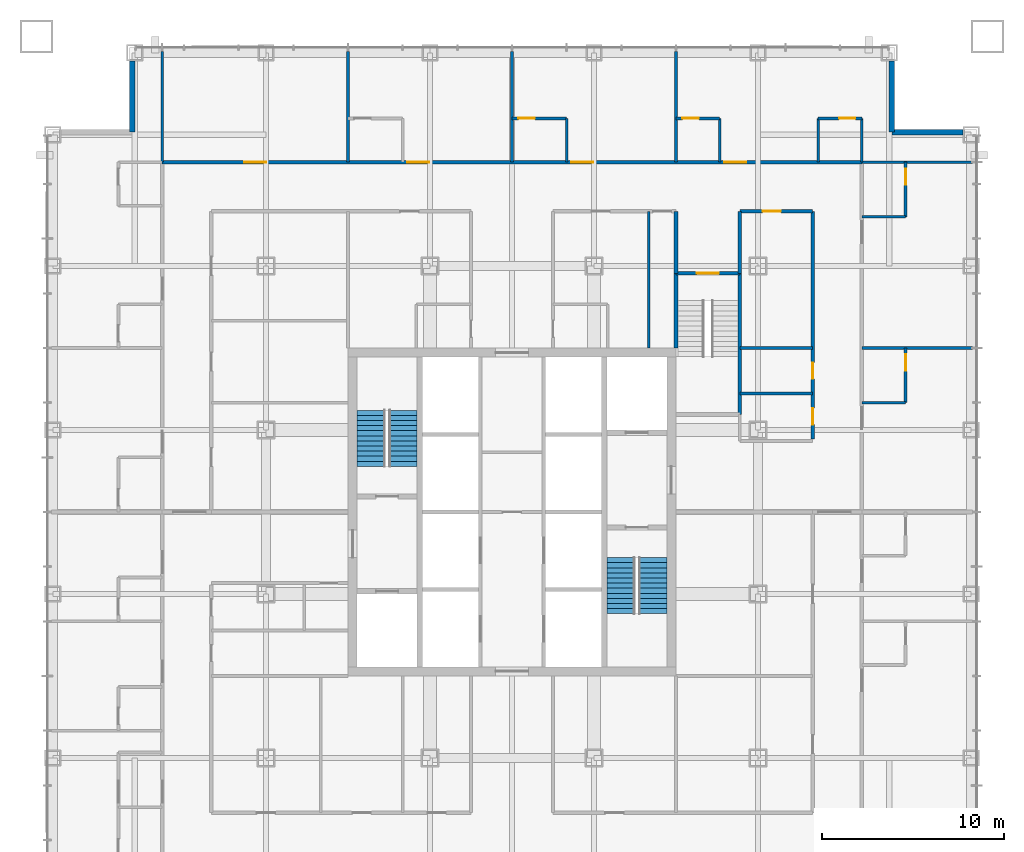
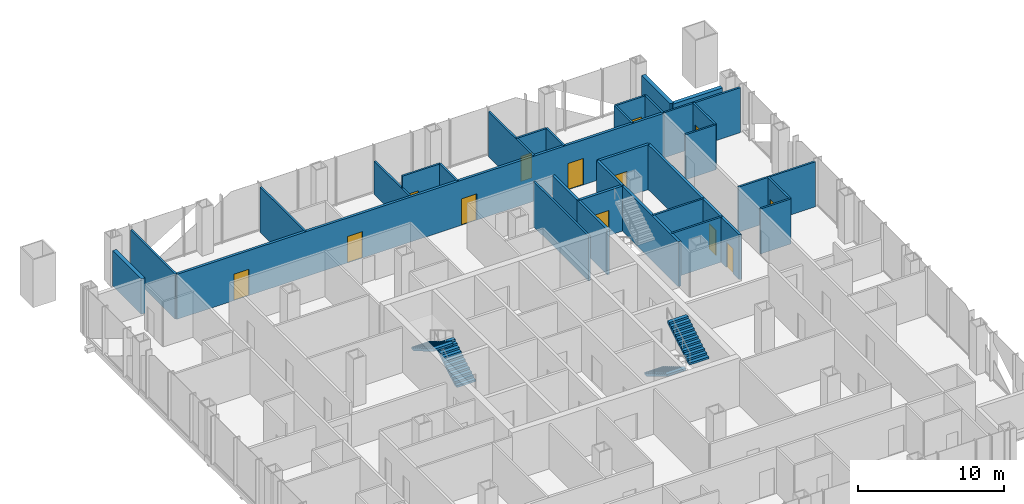
# One storey, part 11 of 13: 31 walls, 13 doors, 4 stair flights, 13 openings, 2 elements without a shape of their own.
"""IFC4 building model written with IfcOpenShell, lengths in metres."""

from ifc_helpers import new_model, si_unit, direction, frame, frame_2d, origin, place, context, subcontext, project, spatial, polyline, rectangle, outline, extrude, material, layer, layer_set, type_object, element, fill, aggregate, save


model = new_model("IFC4")

# Units and contexts
model_context = context("Model", 3, precision=1e-05, world=origin(), true_north=direction((0.0, 1.0)))
body_context = subcontext(model_context, "Body", "Model", "MODEL_VIEW")
ifc_project = project(units=[si_unit("LENGTHUNIT", "METRE"), si_unit("AREAUNIT", "SQUARE_METRE"), si_unit("VOLUMEUNIT", "CUBIC_METRE"), si_unit("PLANEANGLEUNIT", "RADIAN"), si_unit("MASSUNIT", "GRAM", prefix="KILO")], contexts=[model_context])

# Site, building, storey
site_placement = place(None, origin())
site = spatial("IfcSite", under=ifc_project, at=site_placement, CompositionType="ELEMENT")
building_placement = place(site_placement, origin())
building = spatial("IfcBuilding", under=site, at=building_placement, Name="Malebo Sky Hospital", CompositionType="ELEMENT")
storey_placement = place(building_placement, frame((0.0, 0.0, 67.0)))
storey = spatial("IfcBuildingStorey", under=building, at=storey_placement, Name="L15", CompositionType="ELEMENT", Elevation=67.0)

# Wall, openings, doors
ifc_material_1 = material(Name="Gypsum board on steel studs", Category="steel")
ifc_layer_1 = layer(ifc_material_1, 0.199951171875)
ifc_layer_set_1 = layer_set([ifc_layer_1], Name="CORRIDOR WALL 200")
wall_type_1 = type_object("IfcWallType", Name="CORRIDOR WALL 200", PredefinedType="PARTITIONING", material=ifc_layer_set_1)
wall_1_placement = place(storey_placement, frame((40.800048828125, 81.199951171875, 0.0), z_axis=(0.0, 0.0, 1.0), x_axis=(1.0, 0.0, 0.0)))
wall_1 = element("IfcWall", 1, at=wall_1_placement, inside=storey, type_object=wall_type_1, Name="Corridor Wall 200 NCO", PredefinedType="PARTITIONING", context=body_context, shape_type="SweptSolid", body=[
    extrude(rectangle(XDim=38.39990234375, YDim=0.199951171875, at=frame_2d((19.199951171875, 0.0))), origin(), (0.0, 0.0, 1.0), 3.75),
])
opening_1_placement = place(wall_1_placement, frame((4.5, 0.0, 0.0)))
opening_1 = element("IfcOpeningElement", 2, at=opening_1_placement, cuts=wall_1, Name="Opening D01", PredefinedType="OPENING", context=body_context, shape_type="SweptSolid", body=[
    extrude(rectangle(XDim=1.199951171875, YDim=2.199951171875, at=frame_2d((0.60009765625, 1.10009765625))), frame((0.0, 0.10986328125, 0.0), z_axis=(0.0, -1.0, 0.0), x_axis=(1.0, 0.0, 0.0)), (0.0, 0.0, 1.0), 0.219970703125),
])
opening_2_placement = place(wall_1_placement, frame((13.449951171875, 0.0, 0.0)))
opening_2 = element("IfcOpeningElement", 3, at=opening_2_placement, cuts=wall_1, Name="Opening D01", PredefinedType="OPENING", context=body_context, shape_type="SweptSolid", body=[
    extrude(rectangle(XDim=1.199951171875, YDim=2.199951171875, at=frame_2d((0.60009765625, 1.10009765625))), frame((0.0, 0.10986328125, 0.0), z_axis=(0.0, -1.0, 0.0), x_axis=(1.0, 0.0, 0.0)), (0.0, 0.0, 1.0), 0.219970703125),
])
opening_3_placement = place(wall_1_placement, frame((22.449951171875, 0.0, 0.0)))
opening_3 = element("IfcOpeningElement", 4, at=opening_3_placement, cuts=wall_1, Name="Opening D01", PredefinedType="OPENING", context=body_context, shape_type="SweptSolid", body=[
    extrude(rectangle(XDim=1.199951171875, YDim=2.199951171875, at=frame_2d((0.60009765625, 1.10009765625))), frame((0.0, 0.10986328125, 0.0), z_axis=(0.0, -1.0, 0.0), x_axis=(1.0, 0.0, 0.0)), (0.0, 0.0, 1.0), 0.219970703125),
])
opening_4_placement = place(wall_1_placement, frame((30.85009765625, 0.0, 0.0)))
opening_4 = element("IfcOpeningElement", 5, at=opening_4_placement, cuts=wall_1, Name="Opening D01", PredefinedType="OPENING", context=body_context, shape_type="SweptSolid", body=[
    extrude(rectangle(XDim=1.199951171875, YDim=2.199951171875, at=frame_2d((0.60009765625, 1.10009765625))), frame((0.0, 0.10986328125, 0.0), z_axis=(0.0, -1.0, 0.0), x_axis=(1.0, 0.0, 0.0)), (0.0, 0.0, 1.0), 0.219970703125),
])
ifc_material_2 = material(Name="Hardwood-faced door leaf in steel frame", Category="steel")
door_type_1 = type_object("IfcDoorType", Name="BED DOOR 1200", OperationType="SINGLE_SWING_LEFT", PredefinedType="DOOR", material=ifc_material_2)
door_1_placement = place(opening_1_placement, origin())
door_1 = element("IfcDoor", 6, at=door_1_placement, inside=storey, type_object=door_type_1, Name="Therapy room door", OperationType="SINGLE_SWING_LEFT", OverallHeight=2.199951171875, OverallWidth=1.199951171875, PredefinedType="DOOR", context=body_context, shape_type="SweptSolid", body=[
    extrude(rectangle(XDim=1.199951171875, YDim=2.199951171875, at=frame_2d((0.60009765625, 1.10009765625))), frame((0.0, 0.02490234375, 0.0), z_axis=(0.0, -1.0, 0.0), x_axis=(1.0, 0.0, 0.0)), (0.0, 0.0, 1.0), 0.050048828125),
])
fill(opening_1, door_1)
door_2_placement = place(opening_2_placement, origin())
door_2 = element("IfcDoor", 7, at=door_2_placement, inside=storey, type_object=door_type_1, Name="Two-bed room door", OperationType="SINGLE_SWING_LEFT", OverallHeight=2.199951171875, OverallWidth=1.199951171875, PredefinedType="DOOR", context=body_context, shape_type="SweptSolid", body=[
    extrude(rectangle(XDim=1.199951171875, YDim=2.199951171875, at=frame_2d((0.60009765625, 1.10009765625))), frame((0.0, 0.02490234375, 0.0), z_axis=(0.0, -1.0, 0.0), x_axis=(1.0, 0.0, 0.0)), (0.0, 0.0, 1.0), 0.050048828125),
])
fill(opening_2, door_2)
door_3_placement = place(opening_3_placement, origin())
door_3 = element("IfcDoor", 8, at=door_3_placement, inside=storey, type_object=door_type_1, Name="Two-bed room door", OperationType="SINGLE_SWING_LEFT", OverallHeight=2.199951171875, OverallWidth=1.199951171875, PredefinedType="DOOR", context=body_context, shape_type="SweptSolid", body=[
    extrude(rectangle(XDim=1.199951171875, YDim=2.199951171875, at=frame_2d((0.60009765625, 1.10009765625))), frame((0.0, 0.02490234375, 0.0), z_axis=(0.0, -1.0, 0.0), x_axis=(1.0, 0.0, 0.0)), (0.0, 0.0, 1.0), 0.050048828125),
])
fill(opening_3, door_3)
door_4_placement = place(opening_4_placement, origin())
door_4 = element("IfcDoor", 9, at=door_4_placement, inside=storey, type_object=door_type_1, Name="Four-bed bay door", OperationType="SINGLE_SWING_LEFT", OverallHeight=2.199951171875, OverallWidth=1.199951171875, PredefinedType="DOOR", context=body_context, shape_type="SweptSolid", body=[
    extrude(rectangle(XDim=1.199951171875, YDim=2.199951171875, at=frame_2d((0.60009765625, 1.10009765625))), frame((0.0, 0.02490234375, 0.0), z_axis=(0.0, -1.0, 0.0), x_axis=(1.0, 0.0, 0.0)), (0.0, 0.0, 1.0), 0.050048828125),
])
fill(opening_4, door_4)

# Wall, opening, door
wall_2_placement = place(storey_placement, frame((72.5, 78.5, 0.0), z_axis=(0.0, 0.0, 1.0), x_axis=(1.0, 0.0, 0.0)))
wall_2 = element("IfcWall", 10, at=wall_2_placement, inside=storey, type_object=wall_type_1, Name="Corridor Wall 200 NCI2/2", PredefinedType="PARTITIONING", context=body_context, shape_type="SweptSolid", body=[
    extrude(rectangle(XDim=4.0, YDim=0.199951171875, at=frame_2d((2.0, 0.0))), origin(), (0.0, 0.0, 1.0), 3.75),
])
opening_5_placement = place(wall_2_placement, frame((1.25, 0.0, 0.0)))
opening_5 = element("IfcOpeningElement", 11, at=opening_5_placement, cuts=wall_2, Name="Opening D03", PredefinedType="OPENING", context=body_context, shape_type="SweptSolid", body=[
    extrude(rectangle(XDim=1.0, YDim=2.10009765625, at=frame_2d((0.5, 1.050048828125))), frame((0.0, 0.10986328125, 0.0), z_axis=(0.0, -1.0, 0.0), x_axis=(1.0, 0.0, 0.0)), (0.0, 0.0, 1.0), 0.219970703125),
])
door_type_2 = type_object("IfcDoorType", Name="ROOM DOOR 1000", OperationType="SINGLE_SWING_LEFT", PredefinedType="DOOR", material=ifc_material_2)
door_5_placement = place(opening_5_placement, origin())
door_5 = element("IfcDoor", 12, at=door_5_placement, inside=storey, type_object=door_type_2, Name="Interview room door", OperationType="SINGLE_SWING_LEFT", OverallHeight=2.10009765625, OverallWidth=1.0, PredefinedType="DOOR", context=body_context, shape_type="SweptSolid", body=[
    extrude(rectangle(XDim=1.0, YDim=2.10009765625, at=frame_2d((0.5, 1.050048828125))), frame((0.0, 0.02490234375, 0.0), z_axis=(0.0, -1.0, 0.0), x_axis=(1.0, 0.0, 0.0)), (0.0, 0.0, 1.0), 0.050048828125),
])
fill(opening_5, door_5)

# Wall, openings, doors
wall_3_placement = place(storey_placement, frame((76.5, 78.5, 0.0), z_axis=(0.0, 0.0, 1.0), x_axis=(0.0, -1.0, 0.0)))
wall_3 = element("IfcWall", 13, at=wall_3_placement, inside=storey, type_object=wall_type_1, Name="Corridor Wall 200 ECI1", PredefinedType="PARTITIONING", context=body_context, shape_type="SweptSolid", body=[
    extrude(rectangle(XDim=12.5, YDim=0.199951171875, at=frame_2d((6.25, 0.0))), origin(), (0.0, 0.0, 1.0), 3.75),
])
opening_6_placement = place(wall_3_placement, frame((8.300048828125, 0.0, 0.0)))
opening_6 = element("IfcOpeningElement", 14, at=opening_6_placement, cuts=wall_3, Name="Opening D04", PredefinedType="OPENING", context=body_context, shape_type="SweptSolid", body=[
    extrude(rectangle(XDim=0.89990234375, YDim=2.10009765625, at=frame_2d((0.449951171875, 1.050048828125))), frame((0.0, 0.10986328125, 0.0), z_axis=(0.0, -1.0, 0.0), x_axis=(1.0, 0.0, 0.0)), (0.0, 0.0, 1.0), 0.219970703125),
])
opening_7_placement = place(wall_3_placement, frame((10.800048828125, 0.0, 0.0)))
opening_7 = element("IfcOpeningElement", 15, at=opening_7_placement, cuts=wall_3, Name="Opening D04", PredefinedType="OPENING", context=body_context, shape_type="SweptSolid", body=[
    extrude(rectangle(XDim=0.89990234375, YDim=2.10009765625, at=frame_2d((0.449951171875, 1.050048828125))), frame((0.0, 0.10986328125, 0.0), z_axis=(0.0, -1.0, 0.0), x_axis=(1.0, 0.0, 0.0)), (0.0, 0.0, 1.0), 0.219970703125),
])
door_type_3 = type_object("IfcDoorType", Name="ROOM DOOR 900", OperationType="SINGLE_SWING_LEFT", PredefinedType="DOOR", material=ifc_material_2)
door_6_placement = place(opening_6_placement, origin())
door_6 = element("IfcDoor", 16, at=door_6_placement, inside=storey, type_object=door_type_3, Name="Equipment store door", OperationType="SINGLE_SWING_LEFT", OverallHeight=2.10009765625, OverallWidth=0.89990234375, PredefinedType="DOOR", context=body_context, shape_type="SweptSolid", body=[
    extrude(rectangle(XDim=0.89990234375, YDim=2.10009765625, at=frame_2d((0.449951171875, 1.050048828125))), frame((0.0, 0.02490234375, 0.0), z_axis=(0.0, -1.0, 0.0), x_axis=(1.0, 0.0, 0.0)), (0.0, 0.0, 1.0), 0.050048828125),
])
fill(opening_6, door_6)
door_7_placement = place(opening_7_placement, origin())
door_7 = element("IfcDoor", 17, at=door_7_placement, inside=storey, type_object=door_type_3, Name="Medication room door", OperationType="SINGLE_SWING_LEFT", OverallHeight=2.10009765625, OverallWidth=0.89990234375, PredefinedType="DOOR", context=body_context, shape_type="SweptSolid", body=[
    extrude(rectangle(XDim=0.89990234375, YDim=2.10009765625, at=frame_2d((0.449951171875, 1.050048828125))), frame((0.0, 0.02490234375, 0.0), z_axis=(0.0, -1.0, 0.0), x_axis=(1.0, 0.0, 0.0)), (0.0, 0.0, 1.0), 0.050048828125),
])
fill(opening_7, door_7)

# Walls
for number, where, z_axis, x_axis, name in (
    (18, (69.0, 75.10009765625, 0.0), (0.0, 0.0, 1.0), (0.0, 1.0, 0.0), "Corridor Wall 200 ST3AW"),
    (19, (72.5, 75.10009765625, 0.0), (0.0, 0.0, 1.0), (0.0, 1.0, 0.0), "Corridor Wall 200 ST3AE"),
):
    element("IfcWall", number, at=place(storey_placement, frame(where, z_axis=z_axis, x_axis=x_axis)), inside=storey, type_object=wall_type_1, Name=name, PredefinedType="PARTITIONING", context=body_context, shape_type="SweptSolid", body=[
        extrude(rectangle(XDim=3.39990234375, YDim=0.199951171875, at=frame_2d((1.699951171875, 0.0))), origin(), (0.0, 0.0, 1.0), 3.75),
    ])
ifc_material_3 = material(Name="Anodised aluminium rainscreen on steel framing", Category="steel")
ifc_layer_2 = layer(ifc_material_3, 0.300048828125)
ifc_layer_set_2 = layer_set([ifc_layer_2], Name="NOTCH RAINSCREEN WALL 300")
wall_type_2 = type_object("IfcWallType", Name="NOTCH RAINSCREEN WALL 300", PredefinedType="ELEMENTEDWALL", material=ifc_layer_set_2)
for number, where, z_axis, x_axis, name in (
    (20, (80.85009765625, 86.75, 0.0), (0.0, 0.0, 1.0), (0.0, -1.0, 0.0), "Notch rainscreen wall N1 L15"),
    (21, (80.85009765625, 82.85009765625, 0.0), (0.0, 0.0, 1.0), (1.0, 0.0, 0.0), "Notch rainscreen wall N2 L15"),
    (22, (39.14990234375, 82.85009765625, 0.0), (0.0, 0.0, 1.0), (0.0, 1.0, 0.0), "Notch rainscreen wall W2 L15"),
):
    element("IfcWall", number, at=place(storey_placement, frame(where, z_axis=z_axis, x_axis=x_axis)), inside=storey, type_object=wall_type_2, Name=name, PredefinedType="ELEMENTEDWALL", context=body_context, shape_type="SweptSolid", body=[
        extrude(rectangle(XDim=3.89990234375, YDim=0.300048828125, at=frame_2d((1.949951171875, 0.0))), origin(), (0.0, 0.0, 1.0), 2.949951171875),
    ])
ifc_layer_3 = layer(ifc_material_1, 0.14990234375)
ifc_layer_set_3 = layer_set([ifc_layer_3], Name="PARTITION 150")
wall_type_3 = type_object("IfcWallType", Name="PARTITION 150", PredefinedType="PARTITIONING", material=ifc_layer_set_3)
wall_4_placement = place(storey_placement, frame((51.0, 81.199951171875, 0.0), z_axis=(0.0, 0.0, 1.0), x_axis=(0.0, 1.0, 0.0)))
element("IfcWall", 23, at=wall_4_placement, inside=storey, type_object=wall_type_3, Name="Partition 150 NP-9.0", PredefinedType="PARTITIONING", context=body_context, shape_type="SweptSolid", body=[
    extrude(rectangle(XDim=6.074951171875, YDim=0.14990234375, at=frame_2d((3.03759765625, 0.0))), origin(), (0.0, 0.0, 1.0), 3.75),
])
wall_5_placement = place(storey_placement, frame((60.0, 81.199951171875, 0.0), z_axis=(0.0, 0.0, 1.0), x_axis=(0.0, 1.0, 0.0)))
element("IfcWall", 24, at=wall_5_placement, inside=storey, type_object=wall_type_3, Name="Partition 150 NP+0.0", PredefinedType="PARTITIONING", context=body_context, shape_type="SweptSolid", body=[
    extrude(rectangle(XDim=6.074951171875, YDim=0.14990234375, at=frame_2d((3.03759765625, 0.0))), origin(), (0.0, 0.0, 1.0), 2.75),
])
for number, where, z_axis, x_axis, name in (
    (25, (69.0, 81.199951171875, 0.0), (0.0, 0.0, 1.0), (0.0, 1.0, 0.0), "Partition 150 NP+9.0"),
    (26, (40.800048828125, 81.199951171875, 0.0), (0.0, 0.0, 1.0), (0.0, 1.0, 0.0), "Partition 150 NP0"),
):
    element("IfcWall", number, at=place(storey_placement, frame(where, z_axis=z_axis, x_axis=x_axis)), inside=storey, type_object=wall_type_3, Name=name, PredefinedType="PARTITIONING", context=body_context, shape_type="SweptSolid", body=[
        extrude(rectangle(XDim=6.074951171875, YDim=0.14990234375, at=frame_2d((3.03759765625, 0.0))), origin(), (0.0, 0.0, 1.0), 3.75),
    ])

# Wall, opening, door
wall_6_placement = place(storey_placement, frame((60.0, 83.60009765625, 0.0), z_axis=(0.0, 0.0, 1.0), x_axis=(1.0, 0.0, 0.0)))
wall_6 = element("IfcWall", 27, at=wall_6_placement, inside=storey, type_object=wall_type_3, Name="Partition 150 NE2F", PredefinedType="PARTITIONING", context=body_context, shape_type="SweptSolid", body=[
    extrude(rectangle(XDim=3.0, YDim=0.14990234375, at=frame_2d((1.5, 0.0))), origin(), (0.0, 0.0, 1.0), 3.75),
])
opening_8_placement = place(wall_6_placement, frame((0.35009765625, 0.0, 0.0)))
opening_8 = element("IfcOpeningElement", 28, at=opening_8_placement, cuts=wall_6, Name="Opening D02", PredefinedType="OPENING", context=body_context, shape_type="SweptSolid", body=[
    extrude(rectangle(XDim=0.89990234375, YDim=2.10009765625, at=frame_2d((0.449951171875, 1.050048828125))), frame((0.0, 0.0849609375, 0.0), z_axis=(0.0, -1.0, 0.0), x_axis=(1.0, 0.0, 0.0)), (0.0, 0.0, 1.0), 0.169921875),
])
door_type_4 = type_object("IfcDoorType", Name="EN-SUITE DOOR 900", OperationType="SINGLE_SWING_LEFT", PredefinedType="DOOR", material=ifc_material_2)
door_8_placement = place(opening_8_placement, origin())
door_8 = element("IfcDoor", 29, at=door_8_placement, inside=storey, type_object=door_type_4, Name="En-suite door", OperationType="SINGLE_SWING_LEFT", OverallHeight=2.10009765625, OverallWidth=0.89990234375, PredefinedType="DOOR", context=body_context, shape_type="SweptSolid", body=[
    extrude(rectangle(XDim=0.89990234375, YDim=2.10009765625, at=frame_2d((0.449951171875, 1.050048828125))), frame((0.0, 0.02490234375, 0.0), z_axis=(0.0, -1.0, 0.0), x_axis=(1.0, 0.0, 0.0)), (0.0, 0.0, 1.0), 0.050048828125),
])
fill(opening_8, door_8)

# Wall
wall_7_placement = place(storey_placement, frame((63.0, 81.199951171875, 0.0), z_axis=(0.0, 0.0, 1.0), x_axis=(0.0, 1.0, 0.0)))
element("IfcWall", 30, at=wall_7_placement, inside=storey, type_object=wall_type_3, Name="Partition 150 NE2S", PredefinedType="PARTITIONING", context=body_context, shape_type="SweptSolid", body=[
    extrude(rectangle(XDim=2.400146484375, YDim=0.14990234375, at=frame_2d((1.2001953125, 0.0))), origin(), (0.0, 0.0, 1.0), 3.75),
])

# Wall, opening, door
wall_8_placement = place(storey_placement, frame((69.0, 83.60009765625, 0.0), z_axis=(0.0, 0.0, 1.0), x_axis=(1.0, 0.0, 0.0)))
wall_8 = element("IfcWall", 31, at=wall_8_placement, inside=storey, type_object=wall_type_3, Name="Partition 150 NE3F", PredefinedType="PARTITIONING", context=body_context, shape_type="SweptSolid", body=[
    extrude(rectangle(XDim=2.39990234375, YDim=0.14990234375, at=frame_2d((1.199951171875, 0.0))), origin(), (0.0, 0.0, 1.0), 3.75),
])
opening_9_placement = place(wall_8_placement, frame((0.35009765625, 0.0, 0.0)))
opening_9 = element("IfcOpeningElement", 32, at=opening_9_placement, cuts=wall_8, Name="Opening D02", PredefinedType="OPENING", context=body_context, shape_type="SweptSolid", body=[
    extrude(rectangle(XDim=0.89990234375, YDim=2.10009765625, at=frame_2d((0.449951171875, 1.050048828125))), frame((0.0, 0.0849609375, 0.0), z_axis=(0.0, -1.0, 0.0), x_axis=(1.0, 0.0, 0.0)), (0.0, 0.0, 1.0), 0.169921875),
])
door_9_placement = place(opening_9_placement, origin())
door_9 = element("IfcDoor", 33, at=door_9_placement, inside=storey, type_object=door_type_4, Name="En-suite door", OperationType="SINGLE_SWING_LEFT", OverallHeight=2.10009765625, OverallWidth=0.89990234375, PredefinedType="DOOR", context=body_context, shape_type="SweptSolid", body=[
    extrude(rectangle(XDim=0.89990234375, YDim=2.10009765625, at=frame_2d((0.449951171875, 1.050048828125))), frame((0.0, 0.02490234375, 0.0), z_axis=(0.0, -1.0, 0.0), x_axis=(1.0, 0.0, 0.0)), (0.0, 0.0, 1.0), 0.050048828125),
])
fill(opening_9, door_9)

# Wall
wall_9_placement = place(storey_placement, frame((71.39990234375, 81.199951171875, 0.0), z_axis=(0.0, 0.0, 1.0), x_axis=(0.0, 1.0, 0.0)))
element("IfcWall", 34, at=wall_9_placement, inside=storey, type_object=wall_type_3, Name="Partition 150 NE3S", PredefinedType="PARTITIONING", context=body_context, shape_type="SweptSolid", body=[
    extrude(rectangle(XDim=2.400146484375, YDim=0.14990234375, at=frame_2d((1.2001953125, 0.0))), origin(), (0.0, 0.0, 1.0), 3.75),
])

# Wall, opening, door
wall_10_placement = place(storey_placement, frame((76.800048828125, 83.60009765625, 0.0), z_axis=(0.0, 0.0, 1.0), x_axis=(1.0, 0.0, 0.0)))
wall_10 = element("IfcWall", 35, at=wall_10_placement, inside=storey, type_object=wall_type_3, Name="Partition 150 NG3F", PredefinedType="PARTITIONING", context=body_context, shape_type="SweptSolid", body=[
    extrude(rectangle(XDim=2.39990234375, YDim=0.14990234375, at=frame_2d((1.199951171875, 0.0))), origin(), (0.0, 0.0, 1.0), 3.75),
])
opening_10_placement = place(wall_10_placement, frame((1.14990234375, 0.0, 0.0)))
opening_10 = element("IfcOpeningElement", 36, at=opening_10_placement, cuts=wall_10, Name="Opening D02", PredefinedType="OPENING", context=body_context, shape_type="SweptSolid", body=[
    extrude(rectangle(XDim=0.89990234375, YDim=2.10009765625, at=frame_2d((0.449951171875, 1.050048828125))), frame((0.0, 0.0849609375, 0.0), z_axis=(0.0, -1.0, 0.0), x_axis=(1.0, 0.0, 0.0)), (0.0, 0.0, 1.0), 0.169921875),
])
door_10_placement = place(opening_10_placement, origin())
door_10 = element("IfcDoor", 37, at=door_10_placement, inside=storey, type_object=door_type_4, Name="En-suite door", OperationType="SINGLE_SWING_RIGHT", OverallHeight=2.10009765625, OverallWidth=0.89990234375, PredefinedType="DOOR", context=body_context, shape_type="SweptSolid", body=[
    extrude(rectangle(XDim=0.89990234375, YDim=2.10009765625, at=frame_2d((0.449951171875, 1.050048828125))), frame((0.0, 0.02490234375, 0.0), z_axis=(0.0, -1.0, 0.0), x_axis=(1.0, 0.0, 0.0)), (0.0, 0.0, 1.0), 0.050048828125),
])
fill(opening_10, door_10)

# Walls
for number, where, z_axis, x_axis, name in (
    (38, (76.800048828125, 81.199951171875, 0.0), (0.0, 0.0, 1.0), (0.0, 1.0, 0.0), "Partition 150 NG3S"),
    (39, (79.199951171875, 81.199951171875, 0.0), (0.0, 0.0, 1.0), (0.0, 1.0, 0.0), "Partition 150 NEZ"),
):
    element("IfcWall", number, at=place(storey_placement, frame(where, z_axis=z_axis, x_axis=x_axis)), inside=storey, type_object=wall_type_3, Name=name, PredefinedType="PARTITIONING", context=body_context, shape_type="SweptSolid", body=[
        extrude(rectangle(XDim=2.400146484375, YDim=0.14990234375, at=frame_2d((1.2001953125, 0.0))), origin(), (0.0, 0.0, 1.0), 3.75),
    ])
wall_11_placement = place(storey_placement, frame((67.5, 71.0, 0.0), z_axis=(0.0, 0.0, 1.0), x_axis=(0.0, 1.0, 0.0)))
element("IfcWall", 40, at=wall_11_placement, inside=storey, type_object=wall_type_3, Name="Partition 150 NSP+7.5", PredefinedType="PARTITIONING", context=body_context, shape_type="SweptSolid", body=[
    extrude(rectangle(XDim=7.5, YDim=0.14990234375, at=frame_2d((3.75, 0.0))), origin(), (0.0, 0.0, 1.0), 3.75),
])
for number, where, z_axis, x_axis, name in (
    (41, (79.199951171875, 71.0, 0.0), (0.0, 0.0, 1.0), (1.0, 0.0, 0.0), "Partition 150 EP-9.0"),
    (42, (79.199951171875, 81.199951171875, 0.0), (0.0, 0.0, 1.0), (1.0, 0.0, 0.0), "Partition 150 EP0"),
):
    element("IfcWall", number, at=place(storey_placement, frame(where, z_axis=z_axis, x_axis=x_axis)), inside=storey, type_object=wall_type_3, Name=name, PredefinedType="PARTITIONING", context=body_context, shape_type="SweptSolid", body=[
        extrude(rectangle(XDim=6.074951171875, YDim=0.14990234375, at=frame_2d((3.03759765625, 0.0))), origin(), (0.0, 0.0, 1.0), 3.75),
    ])

# Wall, opening, door
wall_12_placement = place(storey_placement, frame((81.60009765625, 81.199951171875, 0.0), z_axis=(0.0, 0.0, 1.0), x_axis=(0.0, -1.0, 0.0)))
wall_12 = element("IfcWall", 43, at=wall_12_placement, inside=storey, type_object=wall_type_3, Name="Partition 150 EE0F", PredefinedType="PARTITIONING", context=body_context, shape_type="SweptSolid", body=[
    extrude(rectangle(XDim=3.0, YDim=0.14990234375, at=frame_2d((1.5, 0.0))), origin(), (0.0, 0.0, 1.0), 3.75),
])
opening_11_placement = place(wall_12_placement, frame((0.35009765625, 0.0, 0.0)))
opening_11 = element("IfcOpeningElement", 44, at=opening_11_placement, cuts=wall_12, Name="Opening D02", PredefinedType="OPENING", context=body_context, shape_type="SweptSolid", body=[
    extrude(rectangle(XDim=0.89990234375, YDim=2.10009765625, at=frame_2d((0.449951171875, 1.050048828125))), frame((0.0, 0.0849609375, 0.0), z_axis=(0.0, -1.0, 0.0), x_axis=(1.0, 0.0, 0.0)), (0.0, 0.0, 1.0), 0.169921875),
])
door_11_placement = place(opening_11_placement, origin())
door_11 = element("IfcDoor", 45, at=door_11_placement, inside=storey, type_object=door_type_4, Name="En-suite door", OperationType="SINGLE_SWING_LEFT", OverallHeight=2.10009765625, OverallWidth=0.89990234375, PredefinedType="DOOR", context=body_context, shape_type="SweptSolid", body=[
    extrude(rectangle(XDim=0.89990234375, YDim=2.10009765625, at=frame_2d((0.449951171875, 1.050048828125))), frame((0.0, 0.02490234375, 0.0), z_axis=(0.0, -1.0, 0.0), x_axis=(1.0, 0.0, 0.0)), (0.0, 0.0, 1.0), 0.050048828125),
])
fill(opening_11, door_11)

# Wall
wall_13_placement = place(storey_placement, frame((79.199951171875, 78.199951171875, 0.0), z_axis=(0.0, 0.0, 1.0), x_axis=(1.0, 0.0, 0.0)))
element("IfcWall", 46, at=wall_13_placement, inside=storey, type_object=wall_type_3, Name="Partition 150 EE0S", PredefinedType="PARTITIONING", context=body_context, shape_type="SweptSolid", body=[
    extrude(rectangle(XDim=2.400146484375, YDim=0.14990234375, at=frame_2d((1.2001953125, 0.0))), origin(), (0.0, 0.0, 1.0), 3.75),
])

# Wall, opening, door
wall_14_placement = place(storey_placement, frame((81.60009765625, 71.0, 0.0), z_axis=(0.0, 0.0, 1.0), x_axis=(0.0, -1.0, 0.0)))
wall_14 = element("IfcWall", 47, at=wall_14_placement, inside=storey, type_object=wall_type_3, Name="Partition 150 EE1F", PredefinedType="PARTITIONING", context=body_context, shape_type="SweptSolid", body=[
    extrude(rectangle(XDim=3.0, YDim=0.14990234375, at=frame_2d((1.5, 0.0))), origin(), (0.0, 0.0, 1.0), 3.75),
])
opening_12_placement = place(wall_14_placement, frame((0.35009765625, 0.0, 0.0)))
opening_12 = element("IfcOpeningElement", 48, at=opening_12_placement, cuts=wall_14, Name="Opening D02", PredefinedType="OPENING", context=body_context, shape_type="SweptSolid", body=[
    extrude(rectangle(XDim=0.89990234375, YDim=2.10009765625, at=frame_2d((0.449951171875, 1.050048828125))), frame((0.0, 0.0849609375, 0.0), z_axis=(0.0, -1.0, 0.0), x_axis=(1.0, 0.0, 0.0)), (0.0, 0.0, 1.0), 0.169921875),
])
door_12_placement = place(opening_12_placement, origin())
door_12 = element("IfcDoor", 49, at=door_12_placement, inside=storey, type_object=door_type_4, Name="En-suite door", OperationType="SINGLE_SWING_LEFT", OverallHeight=2.10009765625, OverallWidth=0.89990234375, PredefinedType="DOOR", context=body_context, shape_type="SweptSolid", body=[
    extrude(rectangle(XDim=0.89990234375, YDim=2.10009765625, at=frame_2d((0.449951171875, 1.050048828125))), frame((0.0, 0.02490234375, 0.0), z_axis=(0.0, -1.0, 0.0), x_axis=(1.0, 0.0, 0.0)), (0.0, 0.0, 1.0), 0.050048828125),
])
fill(opening_12, door_12)

# Walls
wall_15_placement = place(storey_placement, frame((79.199951171875, 68.0, 0.0), z_axis=(0.0, 0.0, 1.0), x_axis=(1.0, 0.0, 0.0)))
element("IfcWall", 50, at=wall_15_placement, inside=storey, type_object=wall_type_3, Name="Partition 150 EE1S", PredefinedType="PARTITIONING", context=body_context, shape_type="SweptSolid", body=[
    extrude(rectangle(XDim=2.400146484375, YDim=0.14990234375, at=frame_2d((1.2001953125, 0.0))), origin(), (0.0, 0.0, 1.0), 3.75),
])
for number, where, z_axis, x_axis, name in (
    (51, (72.5, 71.0, 0.0), (0.0, 0.0, 1.0), (1.0, 0.0, 0.0), "Partition 150 ESP0"),
    (52, (72.5, 68.5, 0.0), (0.0, 0.0, 1.0), (1.0, 0.0, 0.0), "Partition 150 ESP-6.5"),
):
    element("IfcWall", number, at=place(storey_placement, frame(where, z_axis=z_axis, x_axis=x_axis)), inside=storey, type_object=wall_type_3, Name=name, PredefinedType="PARTITIONING", context=body_context, shape_type="SweptSolid", body=[
        extrude(rectangle(XDim=4.0, YDim=0.14990234375, at=frame_2d((2.0, 0.0))), origin(), (0.0, 0.0, 1.0), 3.75),
    ])
ifc_material_4 = material(Name="Concrete C40/50", Category="concrete")
ifc_layer_4 = layer(ifc_material_4, 0.199951171875)
ifc_layer_set_4 = layer_set([ifc_layer_4], Name="STAIR ENCLOSURE WALL 200")
wall_type_4 = type_object("IfcWallType", Name="STAIR ENCLOSURE WALL 200", PredefinedType="SOLIDWALL", material=ifc_layer_set_4)
wall_16_placement = place(storey_placement, frame((69.0, 71.0, 0.0), z_axis=(0.0, 0.0, 1.0), x_axis=(0.0, 1.0, 0.0)))
element("IfcWall", 53, at=wall_16_placement, inside=storey, type_object=wall_type_4, Name="Stair Enclosure Wall 200 ST3W", PredefinedType="SOLIDWALL", context=body_context, shape_type="SweptSolid", body=[
    extrude(rectangle(XDim=4.10009765625, YDim=0.199951171875, at=frame_2d((2.050048828125, 0.0))), origin(), (0.0, 0.0, 1.0), 3.75),
])
wall_17_placement = place(storey_placement, frame((72.5, 67.35009765625, 0.0), z_axis=(0.0, 0.0, 1.0), x_axis=(0.0, 1.0, 0.0)))
element("IfcWall", 54, at=wall_17_placement, inside=storey, type_object=wall_type_4, Name="Stair Enclosure Wall 200 ST3E", PredefinedType="SOLIDWALL", context=body_context, shape_type="SweptSolid", body=[
    extrude(rectangle(XDim=7.75, YDim=0.199951171875, at=frame_2d((3.875, 0.0))), origin(), (0.0, 0.0, 1.0), 3.75),
])

# Wall, opening, door
wall_18_placement = place(storey_placement, frame((69.0, 75.10009765625, 0.0), z_axis=(0.0, 0.0, 1.0), x_axis=(1.0, 0.0, 0.0)))
wall_18 = element("IfcWall", 55, at=wall_18_placement, inside=storey, type_object=wall_type_4, Name="Stair Enclosure Wall 200 ST3N", PredefinedType="SOLIDWALL", context=body_context, shape_type="SweptSolid", body=[
    extrude(rectangle(XDim=3.5, YDim=0.199951171875, at=frame_2d((1.75, 0.0))), origin(), (0.0, 0.0, 1.0), 3.75),
])
opening_13_placement = place(wall_18_placement, frame((1.14990234375, 0.0, 0.0)))
opening_13 = element("IfcOpeningElement", 56, at=opening_13_placement, cuts=wall_18, Name="Opening D08", PredefinedType="OPENING", context=body_context, shape_type="SweptSolid", body=[
    extrude(rectangle(XDim=1.199951171875, YDim=2.10009765625, at=frame_2d((0.60009765625, 1.050048828125))), frame((0.0, 0.10986328125, 0.0), z_axis=(0.0, -1.0, 0.0), x_axis=(1.0, 0.0, 0.0)), (0.0, 0.0, 1.0), 0.219970703125),
])
door_type_5 = type_object("IfcDoorType", Name="STAIR DOOR 1200", OperationType="SINGLE_SWING_LEFT", PredefinedType="DOOR", material=ifc_material_2)
door_13_placement = place(opening_13_placement, origin())
door_13 = element("IfcDoor", 57, at=door_13_placement, inside=storey, type_object=door_type_5, Name="Stair S3 door", OperationType="SINGLE_SWING_LEFT", OverallHeight=2.10009765625, OverallWidth=1.199951171875, PredefinedType="DOOR", context=body_context, shape_type="SweptSolid", body=[
    extrude(rectangle(XDim=1.199951171875, YDim=2.10009765625, at=frame_2d((0.60009765625, 1.050048828125))), frame((0.0, 0.02490234375, 0.0), z_axis=(0.0, -1.0, 0.0), x_axis=(1.0, 0.0, 0.0)), (0.0, 0.0, 1.0), 0.050048828125),
])
fill(opening_13, door_13)

# Stair, stair flights
stair_type = type_object("IfcStairType", Name="HALF-TURN STAIR 1500 R167", PredefinedType="HALF_TURN_STAIR", material=ifc_material_4)
stair_1_placement = place(storey_placement, origin())
stair_1 = element("IfcStair", 58, at=stair_1_placement, inside=storey, type_object=stair_type, Name="Stair S1 L15 type ST1", PredefinedType="HALF_TURN_STAIR")
stair_flight_type = type_object("IfcStairFlightType", Name="STAIR FLIGHT 1500 R167", PredefinedType="STRAIGHT", material=ifc_material_4)
stair_flight_1_placement = place(storey_placement, frame((54.050048828125, 64.5, 0.0), z_axis=(0.0, 0.0, 1.0), x_axis=(0.0, 1.0, 0.0)))
stair_flight_1 = element("IfcStairFlight", 59, at=stair_flight_1_placement, type_object=stair_flight_type, Name="S1 flight 1 type SF1", NumberOfRisers=12, NumberOfTreads=11, PredefinedType="STRAIGHT", RiserHeight=0.166666667, TreadLength=0.28, context=body_context, shape_type="SweptSolid", body=[
    extrude(outline(polyline([(0.0, 0.0), (0.0, 0.166748046875), (0.280029296875, 0.166748046875), (0.280029296875, 0.333251953125), (0.56005859375, 0.333251953125), (0.56005859375, 0.5), (0.840087890625, 0.5), (0.840087890625, 0.666748046875), (1.1201171875, 0.666748046875), (1.1201171875, 0.833251953125), (1.39990234375, 0.833251953125), (1.39990234375, 1.0), (1.679931640625, 1.0), (1.679931640625, 1.166748046875), (1.9599609375, 1.166748046875), (1.9599609375, 1.333251953125), (2.239990234375, 1.333251953125), (2.239990234375, 1.5), (2.52001953125, 1.5), (2.52001953125, 1.666748046875), (2.800048828125, 1.666748046875), (2.800048828125, 1.833251953125), (3.080078125, 1.833251953125), (3.080078125, 2.0), (3.080078125, 1.658935546875), (0.29296875, 0.0), (0.0, 0.0)])), frame((0.0, 0.75, 0.0), z_axis=(0.0, -1.0, 0.0), x_axis=(1.0, 0.0, 0.0)), (0.0, 0.0, 1.0), 1.5),
])
stair_flight_2_placement = place(storey_placement, frame((52.25, 67.580078125, 2.0), z_axis=(0.0, 0.0, 1.0), x_axis=(0.0, -1.0, 0.0)))
stair_flight_2 = element("IfcStairFlight", 60, at=stair_flight_2_placement, type_object=stair_flight_type, Name="S1 flight 2 type SF1", NumberOfRisers=12, NumberOfTreads=11, PredefinedType="STRAIGHT", RiserHeight=0.166666667, TreadLength=0.28, context=body_context, shape_type="SweptSolid", body=[
    extrude(outline(polyline([(0.0, 0.0), (0.0, 0.166748046875), (0.280029296875, 0.166748046875), (0.280029296875, 0.333251953125), (0.56005859375, 0.333251953125), (0.56005859375, 0.5), (0.840087890625, 0.5), (0.840087890625, 0.666748046875), (1.1201171875, 0.666748046875), (1.1201171875, 0.833251953125), (1.39990234375, 0.833251953125), (1.39990234375, 1.0), (1.679931640625, 1.0), (1.679931640625, 1.166748046875), (1.9599609375, 1.166748046875), (1.9599609375, 1.333251953125), (2.239990234375, 1.333251953125), (2.239990234375, 1.5), (2.52001953125, 1.5), (2.52001953125, 1.666748046875), (2.800048828125, 1.666748046875), (2.800048828125, 1.833251953125), (3.080078125, 1.833251953125), (3.080078125, 2.0), (3.080078125, 1.658935546875), (0.29296875, 0.0), (0.0, 0.0)])), frame((0.0, 0.75, 0.0), z_axis=(0.0, -1.0, 0.0), x_axis=(1.0, 0.0, 0.0)), (0.0, 0.0, 1.0), 1.5),
])
aggregate(stair_1, [stair_flight_1, stair_flight_2])

stair_2_placement = place(storey_placement, origin())
stair_2 = element("IfcStair", 61, at=stair_2_placement, inside=storey, type_object=stair_type, Name="Stair S2 L15 type ST1", PredefinedType="HALF_TURN_STAIR")
stair_flight_3_placement = place(storey_placement, frame((65.949951171875, 59.5, 0.0), z_axis=(0.0, 0.0, 1.0), x_axis=(0.0, -1.0, 0.0)))
stair_flight_3 = element("IfcStairFlight", 62, at=stair_flight_3_placement, type_object=stair_flight_type, Name="S2 flight 1 type SF1", NumberOfRisers=12, NumberOfTreads=11, PredefinedType="STRAIGHT", RiserHeight=0.166666667, TreadLength=0.28, context=body_context, shape_type="SweptSolid", body=[
    extrude(outline(polyline([(0.0, 0.0), (0.0, 0.166748046875), (0.280029296875, 0.166748046875), (0.280029296875, 0.333251953125), (0.56005859375, 0.333251953125), (0.56005859375, 0.5), (0.840087890625, 0.5), (0.840087890625, 0.666748046875), (1.1201171875, 0.666748046875), (1.1201171875, 0.833251953125), (1.39990234375, 0.833251953125), (1.39990234375, 1.0), (1.679931640625, 1.0), (1.679931640625, 1.166748046875), (1.9599609375, 1.166748046875), (1.9599609375, 1.333251953125), (2.239990234375, 1.333251953125), (2.239990234375, 1.5), (2.52001953125, 1.5), (2.52001953125, 1.666748046875), (2.800048828125, 1.666748046875), (2.800048828125, 1.833251953125), (3.080078125, 1.833251953125), (3.080078125, 2.0), (3.080078125, 1.658935546875), (0.29296875, 0.0), (0.0, 0.0)])), frame((0.0, 0.75, 0.0), z_axis=(0.0, -1.0, 0.0), x_axis=(1.0, 0.0, 0.0)), (0.0, 0.0, 1.0), 1.5),
])
stair_flight_4_placement = place(storey_placement, frame((67.75, 56.419921875, 2.0), z_axis=(0.0, 0.0, 1.0), x_axis=(0.0, 1.0, 0.0)))
stair_flight_4 = element("IfcStairFlight", 63, at=stair_flight_4_placement, type_object=stair_flight_type, Name="S2 flight 2 type SF1", NumberOfRisers=12, NumberOfTreads=11, PredefinedType="STRAIGHT", RiserHeight=0.166666667, TreadLength=0.28, context=body_context, shape_type="SweptSolid", body=[
    extrude(outline(polyline([(0.0, 0.0), (0.0, 0.166748046875), (0.280029296875, 0.166748046875), (0.280029296875, 0.333251953125), (0.56005859375, 0.333251953125), (0.56005859375, 0.5), (0.840087890625, 0.5), (0.840087890625, 0.666748046875), (1.1201171875, 0.666748046875), (1.1201171875, 0.833251953125), (1.39990234375, 0.833251953125), (1.39990234375, 1.0), (1.679931640625, 1.0), (1.679931640625, 1.166748046875), (1.9599609375, 1.166748046875), (1.9599609375, 1.333251953125), (2.239990234375, 1.333251953125), (2.239990234375, 1.5), (2.52001953125, 1.5), (2.52001953125, 1.666748046875), (2.800048828125, 1.666748046875), (2.800048828125, 1.833251953125), (3.080078125, 1.833251953125), (3.080078125, 2.0), (3.080078125, 1.658935546875), (0.29296875, 0.0), (0.0, 0.0)])), frame((0.0, 0.75, 0.0), z_axis=(0.0, -1.0, 0.0), x_axis=(1.0, 0.0, 0.0)), (0.0, 0.0, 1.0), 1.5),
])
aggregate(stair_2, [stair_flight_3, stair_flight_4])

save(model, "model.ifc")
